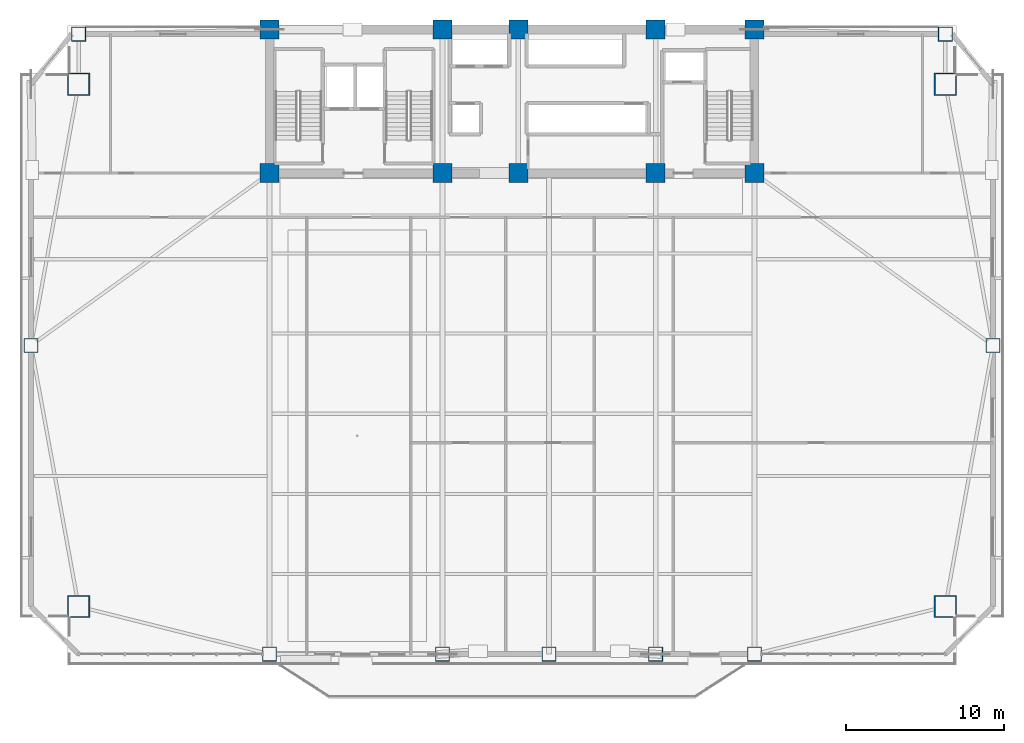
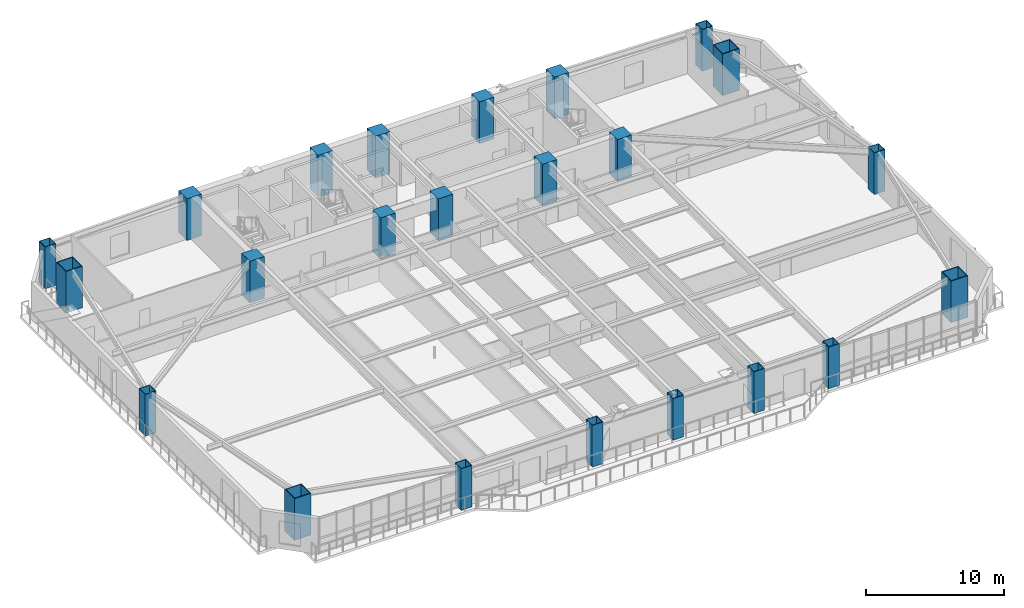
# One storey, part 1 of 15: 23 columns.
"""IFC4 building model written with IfcOpenShell, lengths in metres."""

from ifc_helpers import new_model, si_unit, direction, frame, origin, origin_2d, place, context, subcontext, project, spatial, rectangle, hollow_rectangle, extrude, source, transform, mapped, material, material_profile, profile_set, type_object, element, save


model = new_model("IFC4")

# Units and contexts
model_context = context("Model", 3, precision=1e-05, world=origin(), true_north=direction((0.0, 1.0)))
body_context = subcontext(model_context, "Body", "Model", "MODEL_VIEW")
ifc_project = project(units=[si_unit("LENGTHUNIT", "METRE"), si_unit("AREAUNIT", "SQUARE_METRE"), si_unit("VOLUMEUNIT", "CUBIC_METRE"), si_unit("PLANEANGLEUNIT", "RADIAN"), si_unit("MASSUNIT", "GRAM", prefix="KILO")], contexts=[model_context])

# Site, building, storey
site_placement = place(None, origin())
site = spatial("IfcSite", under=ifc_project, at=site_placement, CompositionType="ELEMENT")
building_placement = place(site_placement, origin())
building = spatial("IfcBuilding", under=site, at=building_placement, Name="Giltprow Tower", CompositionType="ELEMENT")
storey_placement = place(building_placement, frame((0.0, 0.0, 111.39990234375)))
storey = spatial("IfcBuildingStorey", under=building, at=storey_placement, Name="L27", CompositionType="ELEMENT", Elevation=111.39990234375)

# Columns
ifc_material_1 = material(Name="Concrete C60", Category="concrete")
ifc_material_profile_1 = material_profile(ifc_material_1, rectangle(XDim=1.199951171875, YDim=1.199951171875, at=origin_2d()), Name="RC 1200x1200")
ifc_profile_set_1 = profile_set([ifc_material_profile_1], Name="Concrete C60")
column_type_1 = type_object("IfcColumnType", Name="PIL-RC-1200-C60", PredefinedType="PILASTER", material=ifc_profile_set_1)
shared_shape_1 = source(origin(), body_context, "Body", "SweptSolid", [
    extrude(rectangle(XDim=1.199951171875, YDim=1.199951171875, at=origin_2d()), origin(), (0.0, 0.0, 1.0), 3.68017578125),
])
for number, where, z_axis, x_axis, name in (
    (1, (19.85009765625, 37.449951171875, 0.0), (0.0, 0.0, 1.0), (1.0, 0.0, 0.0), "L27 Core Boundary Pilaster 1-1"),
    (2, (19.85009765625, 46.550048828125, 0.0), (0.0, 0.0, 1.0), (1.0, 0.0, 0.0), "L27 Core Boundary Pilaster 1-2"),
    (3, (30.800048828125, 37.449951171875, 0.0), (0.0, 0.0, 1.0), (1.0, 0.0, 0.0), "L27 Core Boundary Pilaster 2-1"),
    (4, (30.800048828125, 46.550048828125, 0.0), (0.0, 0.0, 1.0), (1.0, 0.0, 0.0), "L27 Core Boundary Pilaster 2-2"),
    (5, (35.60009765625, 37.449951171875, 0.0), (0.0, 0.0, 1.0), (1.0, 0.0, 0.0), "L27 Core Boundary Pilaster 3-1"),
    (6, (35.60009765625, 46.550048828125, 0.0), (0.0, 0.0, 1.0), (1.0, 0.0, 0.0), "L27 Core Boundary Pilaster 3-2"),
    (7, (44.300048828125, 37.449951171875, 0.0), (0.0, 0.0, 1.0), (1.0, 0.0, 0.0), "L27 Core Boundary Pilaster 4-1"),
    (8, (44.300048828125, 46.550048828125, 0.0), (0.0, 0.0, 1.0), (1.0, 0.0, 0.0), "L27 Core Boundary Pilaster 4-2"),
    (9, (50.550048828125, 37.449951171875, 0.0), (0.0, 0.0, 1.0), (1.0, 0.0, 0.0), "L27 Core Boundary Pilaster 5-1"),
    (10, (50.550048828125, 46.550048828125, 0.0), (0.0, 0.0, 1.0), (1.0, 0.0, 0.0), "L27 Core Boundary Pilaster 5-2"),
):
    element("IfcColumn", number, at=place(storey_placement, frame(where, z_axis=z_axis, x_axis=x_axis)), inside=storey, type_object=column_type_1, Name=name, PredefinedType="PILASTER", context=body_context, shape_type="MappedRepresentation", body=[
        mapped(shared_shape_1, transform((0.0, 0.0, 0.0), x_axis=(1.0, 0.0, 0.0), y_axis=(0.0, 1.0, 0.0), z_axis=(0.0, 0.0, 1.0), scale=1.0)),
    ])
ifc_material_2 = material(Name="Structural steel Q420GJC", Category="steel")
ifc_material_profile_2 = material_profile(ifc_material_2, hollow_rectangle(XDim=1.39990234375, YDim=1.39990234375, WallThickness=0.06494140625, at=origin_2d()), Name="BOX 1400x1400x65")
ifc_profile_set_2 = profile_set([ifc_material_profile_2], Name="Structural steel Q420GJC")
column_type_2 = type_object("IfcColumnType", Name="COL-BOX-1400x1400x65", PredefinedType="COLUMN", material=ifc_profile_set_2)
shared_shape_2 = source(origin(), body_context, "Body", "SweptSolid", [
    extrude(hollow_rectangle(XDim=1.39990234375, YDim=1.39990234375, WallThickness=0.06494140625, at=origin_2d()), origin(), (0.0, 0.0, 1.0), 3.68017578125),
])
for number, where, z_axis, x_axis, name in (
    (11, (7.760986328125, 10.007080078125, 0.0), (0.0, 0.0, 1.0), (1.0, 0.0, 0.0), "L27 Mega-Column MC_SW"),
    (12, (62.638916015625, 10.007080078125, 0.0), (0.0, 0.0, 1.0), (1.0, 0.0, 0.0), "L27 Mega-Column MC_SE"),
    (13, (7.760986328125, 43.0830078125, 0.0), (0.0, 0.0, 1.0), (1.0, 0.0, 0.0), "L27 Mega-Column MC_NW"),
    (14, (62.638916015625, 43.0830078125, 0.0), (0.0, 0.0, 1.0), (1.0, 0.0, 0.0), "L27 Mega-Column MC_NE"),
):
    element("IfcColumn", number, at=place(storey_placement, frame(where, z_axis=z_axis, x_axis=x_axis)), inside=storey, type_object=column_type_2, Name=name, PredefinedType="COLUMN", context=body_context, shape_type="MappedRepresentation", body=[
        mapped(shared_shape_2, transform((0.0, 0.0, 0.0), x_axis=(1.0, 0.0, 0.0), y_axis=(0.0, 1.0, 0.0), z_axis=(0.0, 0.0, 1.0), scale=1.0)),
    ])
ifc_material_profile_3 = material_profile(ifc_material_2, hollow_rectangle(XDim=0.89990234375, YDim=0.89990234375, WallThickness=0.0400390625, at=origin_2d()), Name="BOX 900x900x40")
ifc_profile_set_3 = profile_set([ifc_material_profile_3], Name="Structural steel Q420GJC")
column_type_3 = type_object("IfcColumnType", Name="COL-BOX-900x900x40", PredefinedType="COLUMN", material=ifc_profile_set_3)
shared_shape_3 = source(origin(), body_context, "Body", "SweptSolid", [
    extrude(hollow_rectangle(XDim=0.89990234375, YDim=0.89990234375, WallThickness=0.0400390625, at=origin_2d()), origin(), (0.0, 0.0, 1.0), 3.68017578125),
])
for number, where, z_axis, x_axis, name in (
    (15, (19.85009765625, 6.989990234375, 0.0), (0.0, 0.0, 1.0), (1.0, 0.0, 0.0), "L27 Perimeter Column S1"),
    (16, (30.800048828125, 6.989990234375, 0.0), (0.0, 0.0, 1.0), (1.0, 0.0, 0.0), "L27 Perimeter Column S2"),
    (17, (37.550048828125, 6.989990234375, 0.0), (0.0, 0.0, 1.0), (1.0, 0.0, 0.0), "L27 Perimeter Column S_MID"),
    (18, (44.300048828125, 6.989990234375, 0.0), (0.0, 0.0, 1.0), (1.0, 0.0, 0.0), "L27 Perimeter Column S3"),
    (19, (50.550048828125, 6.989990234375, 0.0), (0.0, 0.0, 1.0), (1.0, 0.0, 0.0), "L27 Perimeter Column S4"),
    (20, (4.743896484375, 26.544921875, 0.0), (0.0, 0.0, 1.0), (1.0, 0.0, 0.0), "L27 Perimeter Column W_MID"),
    (21, (65.656005859375, 26.544921875, 0.0), (0.0, 0.0, 1.0), (1.0, 0.0, 0.0), "L27 Perimeter Column E_MID"),
    (22, (7.760986328125, 46.25, 0.0), (0.0, 0.0, 1.0), (1.0, 0.0, 0.0), "L27 Perimeter Column N_W"),
    (23, (62.638916015625, 46.25, 0.0), (0.0, 0.0, 1.0), (1.0, 0.0, 0.0), "L27 Perimeter Column N_E"),
):
    element("IfcColumn", number, at=place(storey_placement, frame(where, z_axis=z_axis, x_axis=x_axis)), inside=storey, type_object=column_type_3, Name=name, PredefinedType="COLUMN", context=body_context, shape_type="MappedRepresentation", body=[
        mapped(shared_shape_3, transform((0.0, 0.0, 0.0), x_axis=(1.0, 0.0, 0.0), y_axis=(0.0, 1.0, 0.0), z_axis=(0.0, 0.0, 1.0), scale=1.0)),
    ])

save(model, "model.ifc")
